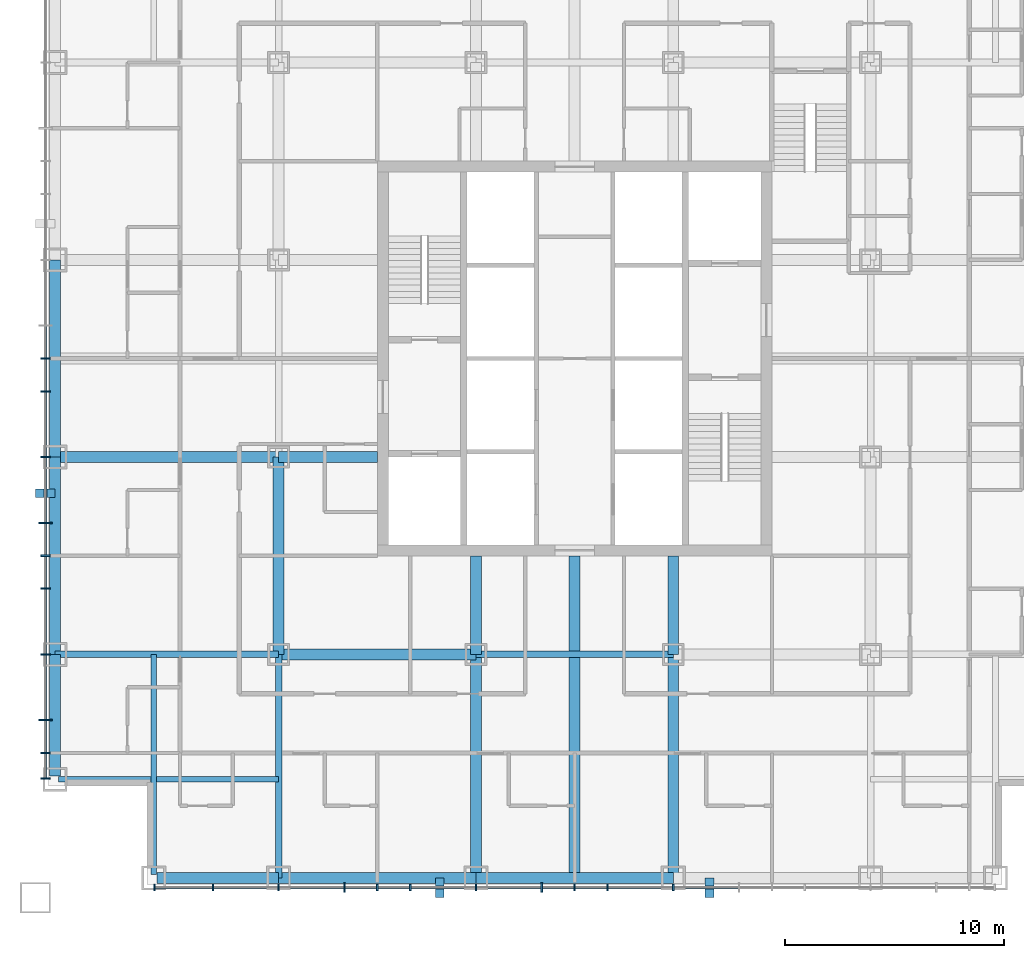
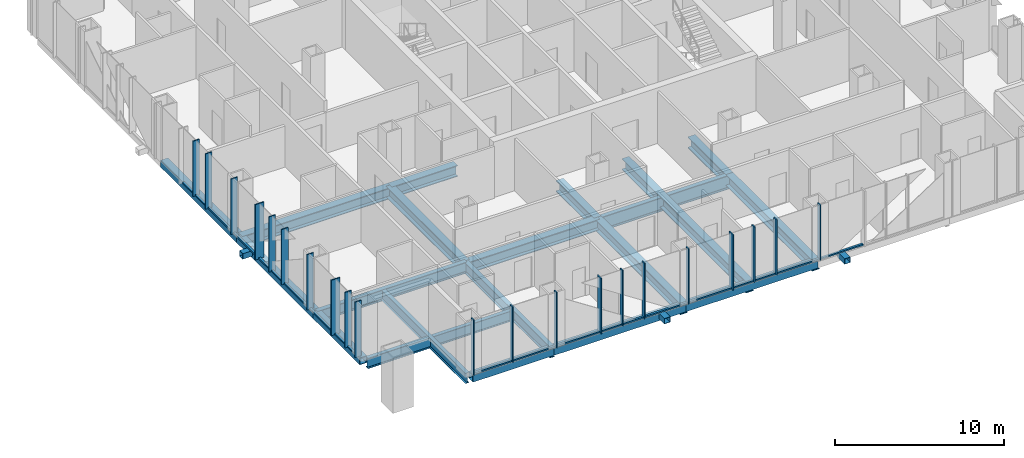
# One storey, part 2 of 13: 45 members, 20 beams, 2 elements without a shape of their own.
"""IFC4 building model written with IfcOpenShell, lengths in metres."""

from ifc_helpers import new_model, si_unit, direction, frame, origin, origin_2d, place, context, subcontext, project, spatial, rectangle, hollow_rectangle, i_section, extrude, material, layer, layer_set, material_profile, profile_set, type_object, element, aggregate, save


model = new_model("IFC4")

# Units and contexts
model_context = context("Model", 3, precision=1e-05, world=origin(), true_north=direction((0.0, 1.0)))
body_context = subcontext(model_context, "Body", "Model", "MODEL_VIEW")
ifc_project = project(units=[si_unit("LENGTHUNIT", "METRE"), si_unit("AREAUNIT", "SQUARE_METRE"), si_unit("VOLUMEUNIT", "CUBIC_METRE"), si_unit("PLANEANGLEUNIT", "RADIAN"), si_unit("MASSUNIT", "GRAM", prefix="KILO")], contexts=[model_context])

# Site, building, storey
site_placement = place(None, origin())
site = spatial("IfcSite", under=ifc_project, at=site_placement, CompositionType="ELEMENT")
building_placement = place(site_placement, origin())
building = spatial("IfcBuilding", under=site, at=building_placement, Name="Malebo Sky Hospital", CompositionType="ELEMENT")
storey_placement = place(building_placement, frame((0.0, 0.0, 160.0)))
storey = spatial("IfcBuildingStorey", under=building, at=storey_placement, Name="L38", CompositionType="ELEMENT", Elevation=160.0)

# Curtain wall, members
ifc_material_1 = material(Name="Anodised aluminium, natural silver", Category="aluminium")
ifc_layer_1 = layer(ifc_material_1, 0.25)
ifc_layer_set_1 = layer_set([ifc_layer_1], Name="WARD CURTAIN WALL EAST AND WEST")
curtain_wall_type_1 = type_object("IfcCurtainWallType", Name="WARD CURTAIN WALL EAST AND WEST", PredefinedType="NOTDEFINED", material=ifc_layer_set_1)
curtain_wall_1_placement = place(storey_placement, origin())
curtain_wall_1 = element("IfcCurtainWall", 1, at=curtain_wall_1_placement, inside=storey, type_object=curtain_wall_type_1, Name="EW curtain wall W", PredefinedType="NOTDEFINED")
ifc_material_profile_1 = material_profile(ifc_material_1, rectangle(XDim=0.14990234375, YDim=0.10009765625, at=origin_2d()), Name="ALUMINIUM TRANSOM 150x100")
ifc_profile_set_1 = profile_set([ifc_material_profile_1], Name="Anodised aluminium, natural silver")
member_type_1 = type_object("IfcMemberType", Name="ALUMINIUM TRANSOM 150x100", PredefinedType="USERDEFINED", material=ifc_profile_set_1)
member_1_placement = place(storey_placement, frame((35.864990234375, 42.875, 0.050048828125), z_axis=(0.0, 1.0, 0.0), x_axis=(-1.0, 0.0, 0.0)))
member_1 = element("IfcMember", 2, at=member_1_placement, type_object=member_type_1, Name="Transom 1", ObjectType="TRANSOM", PredefinedType="USERDEFINED", context=body_context, shape_type="SweptSolid", body=[
    extrude(rectangle(XDim=0.14990234375, YDim=0.10009765625, at=origin_2d()), origin(), (0.0, 0.0, 1.0), 1.08740234375),
])
member_2_placement = place(storey_placement, frame((35.864990234375, 44.03759765625, 0.050048828125), z_axis=(0.0, 1.0, 0.0), x_axis=(-1.0, 0.0, 0.0)))
member_2 = element("IfcMember", 3, at=member_2_placement, type_object=member_type_1, Name="Transom 2", ObjectType="TRANSOM", PredefinedType="USERDEFINED", context=body_context, shape_type="SweptSolid", body=[
    extrude(rectangle(XDim=0.14990234375, YDim=0.10009765625, at=origin_2d()), origin(), (0.0, 0.0, 1.0), 1.4248046875),
])
member_3_placement = place(storey_placement, frame((35.864990234375, 45.53759765625, 0.050048828125), z_axis=(0.0, 1.0, 0.0), x_axis=(-1.0, 0.0, 0.0)))
member_3 = element("IfcMember", 4, at=member_3_placement, type_object=member_type_1, Name="Transom 3", ObjectType="TRANSOM", PredefinedType="USERDEFINED", context=body_context, shape_type="SweptSolid", body=[
    extrude(rectangle(XDim=0.14990234375, YDim=0.10009765625, at=origin_2d()), origin(), (0.0, 0.0, 1.0), 2.9248046875),
])
member_4_placement = place(storey_placement, frame((35.864990234375, 48.53759765625, 0.050048828125), z_axis=(0.0, 1.0, 0.0), x_axis=(-1.0, 0.0, 0.0)))
member_4 = element("IfcMember", 5, at=member_4_placement, type_object=member_type_1, Name="Transom 4", ObjectType="TRANSOM", PredefinedType="USERDEFINED", context=body_context, shape_type="SweptSolid", body=[
    extrude(rectangle(XDim=0.14990234375, YDim=0.10009765625, at=origin_2d()), origin(), (0.0, 0.0, 1.0), 2.9248046875),
])
member_5_placement = place(storey_placement, frame((35.864990234375, 51.53759765625, 0.050048828125), z_axis=(0.0, 1.0, 0.0), x_axis=(-1.0, 0.0, 0.0)))
member_5 = element("IfcMember", 6, at=member_5_placement, type_object=member_type_1, Name="Transom 5", ObjectType="TRANSOM", PredefinedType="USERDEFINED", context=body_context, shape_type="SweptSolid", body=[
    extrude(rectangle(XDim=0.14990234375, YDim=0.10009765625, at=origin_2d()), origin(), (0.0, 0.0, 1.0), 1.4248046875),
])
member_6_placement = place(storey_placement, frame((35.864990234375, 53.03759765625, 0.050048828125), z_axis=(0.0, 1.0, 0.0), x_axis=(-1.0, 0.0, 0.0)))
member_6 = element("IfcMember", 7, at=member_6_placement, type_object=member_type_1, Name="Transom 6", ObjectType="TRANSOM", PredefinedType="USERDEFINED", context=body_context, shape_type="SweptSolid", body=[
    extrude(rectangle(XDim=0.14990234375, YDim=0.10009765625, at=origin_2d()), origin(), (0.0, 0.0, 1.0), 1.4248046875),
])
member_7_placement = place(storey_placement, frame((35.864990234375, 54.53759765625, 0.050048828125), z_axis=(0.0, 1.0, 0.0), x_axis=(-1.0, 0.0, 0.0)))
member_7 = element("IfcMember", 8, at=member_7_placement, type_object=member_type_1, Name="Transom 7", ObjectType="TRANSOM", PredefinedType="USERDEFINED", context=body_context, shape_type="SweptSolid", body=[
    extrude(rectangle(XDim=0.14990234375, YDim=0.10009765625, at=origin_2d()), origin(), (0.0, 0.0, 1.0), 2.9248046875),
])
member_8_placement = place(storey_placement, frame((35.864990234375, 57.53759765625, 0.050048828125), z_axis=(0.0, 1.0, 0.0), x_axis=(-1.0, 0.0, 0.0)))
member_8 = element("IfcMember", 9, at=member_8_placement, type_object=member_type_1, Name="Transom 8", ObjectType="TRANSOM", PredefinedType="USERDEFINED", context=body_context, shape_type="SweptSolid", body=[
    extrude(rectangle(XDim=0.14990234375, YDim=0.10009765625, at=origin_2d()), origin(), (0.0, 0.0, 1.0), 2.9248046875),
])
member_9_placement = place(storey_placement, frame((35.864990234375, 60.53759765625, 0.050048828125), z_axis=(0.0, 1.0, 0.0), x_axis=(-1.0, 0.0, 0.0)))
member_9 = element("IfcMember", 10, at=member_9_placement, type_object=member_type_1, Name="Transom 9", ObjectType="TRANSOM", PredefinedType="USERDEFINED", context=body_context, shape_type="SweptSolid", body=[
    extrude(rectangle(XDim=0.14990234375, YDim=0.10009765625, at=origin_2d()), origin(), (0.0, 0.0, 1.0), 1.4248046875),
])
member_10_placement = place(storey_placement, frame((35.864990234375, 62.03759765625, 0.050048828125), z_axis=(0.0, 1.0, 0.0), x_axis=(-1.0, 0.0, 0.0)))
member_10 = element("IfcMember", 11, at=member_10_placement, type_object=member_type_1, Name="Transom 10", ObjectType="TRANSOM", PredefinedType="USERDEFINED", context=body_context, shape_type="SweptSolid", body=[
    extrude(rectangle(XDim=0.14990234375, YDim=0.10009765625, at=origin_2d()), origin(), (0.0, 0.0, 1.0), 1.4248046875),
])

ifc_layer_2 = layer(ifc_material_1, 0.25)
ifc_layer_set_2 = layer_set([ifc_layer_2], Name="WARD CURTAIN WALL NORTH AND SOUTH")
curtain_wall_type_2 = type_object("IfcCurtainWallType", Name="WARD CURTAIN WALL NORTH AND SOUTH", PredefinedType="NOTDEFINED", material=ifc_layer_set_2)
curtain_wall_2_placement = place(storey_placement, origin())
curtain_wall_2 = element("IfcCurtainWall", 12, at=curtain_wall_2_placement, inside=storey, type_object=curtain_wall_type_2, Name="NS curtain wall S", PredefinedType="NOTDEFINED")
member_11_placement = place(storey_placement, frame((67.46240234375, 37.864990234375, 0.050048828125), z_axis=(-1.0, 0.0, 0.0), x_axis=(0.0, -1.0, 0.0)))
member_11 = element("IfcMember", 13, at=member_11_placement, type_object=member_type_1, Name="Transom 7", ObjectType="TRANSOM", PredefinedType="USERDEFINED", context=body_context, shape_type="SweptSolid", body=[
    extrude(rectangle(XDim=0.14990234375, YDim=0.10009765625, at=origin_2d()), origin(), (0.0, 0.0, 1.0), 2.9248046875),
])
member_12_placement = place(storey_placement, frame((64.46240234375, 37.864990234375, 0.050048828125), z_axis=(-1.0, 0.0, 0.0), x_axis=(0.0, -1.0, 0.0)))
member_12 = element("IfcMember", 14, at=member_12_placement, type_object=member_type_1, Name="Transom 8", ObjectType="TRANSOM", PredefinedType="USERDEFINED", context=body_context, shape_type="SweptSolid", body=[
    extrude(rectangle(XDim=0.14990234375, YDim=0.10009765625, at=origin_2d()), origin(), (0.0, 0.0, 1.0), 2.9248046875),
])
member_13_placement = place(storey_placement, frame((61.46240234375, 37.864990234375, 0.050048828125), z_axis=(-1.0, 0.0, 0.0), x_axis=(0.0, -1.0, 0.0)))
member_13 = element("IfcMember", 15, at=member_13_placement, type_object=member_type_1, Name="Transom 9", ObjectType="TRANSOM", PredefinedType="USERDEFINED", context=body_context, shape_type="SweptSolid", body=[
    extrude(rectangle(XDim=0.14990234375, YDim=0.10009765625, at=origin_2d()), origin(), (0.0, 0.0, 1.0), 1.4248046875),
])
member_14_placement = place(storey_placement, frame((59.96240234375, 37.864990234375, 0.050048828125), z_axis=(-1.0, 0.0, 0.0), x_axis=(0.0, -1.0, 0.0)))
member_14 = element("IfcMember", 16, at=member_14_placement, type_object=member_type_1, Name="Transom 10", ObjectType="TRANSOM", PredefinedType="USERDEFINED", context=body_context, shape_type="SweptSolid", body=[
    extrude(rectangle(XDim=0.14990234375, YDim=0.10009765625, at=origin_2d()), origin(), (0.0, 0.0, 1.0), 1.4248046875),
])
member_15_placement = place(storey_placement, frame((58.46240234375, 37.864990234375, 0.050048828125), z_axis=(-1.0, 0.0, 0.0), x_axis=(0.0, -1.0, 0.0)))
member_15 = element("IfcMember", 17, at=member_15_placement, type_object=member_type_1, Name="Transom 11", ObjectType="TRANSOM", PredefinedType="USERDEFINED", context=body_context, shape_type="SweptSolid", body=[
    extrude(rectangle(XDim=0.14990234375, YDim=0.10009765625, at=origin_2d()), origin(), (0.0, 0.0, 1.0), 2.9248046875),
])
member_16_placement = place(storey_placement, frame((55.46240234375, 37.864990234375, 0.050048828125), z_axis=(-1.0, 0.0, 0.0), x_axis=(0.0, -1.0, 0.0)))
member_16 = element("IfcMember", 18, at=member_16_placement, type_object=member_type_1, Name="Transom 12", ObjectType="TRANSOM", PredefinedType="USERDEFINED", context=body_context, shape_type="SweptSolid", body=[
    extrude(rectangle(XDim=0.14990234375, YDim=0.10009765625, at=origin_2d()), origin(), (0.0, 0.0, 1.0), 2.9248046875),
])
member_17_placement = place(storey_placement, frame((52.46240234375, 37.864990234375, 0.050048828125), z_axis=(-1.0, 0.0, 0.0), x_axis=(0.0, -1.0, 0.0)))
member_17 = element("IfcMember", 19, at=member_17_placement, type_object=member_type_1, Name="Transom 13", ObjectType="TRANSOM", PredefinedType="USERDEFINED", context=body_context, shape_type="SweptSolid", body=[
    extrude(rectangle(XDim=0.14990234375, YDim=0.10009765625, at=origin_2d()), origin(), (0.0, 0.0, 1.0), 1.4248046875),
])
member_18_placement = place(storey_placement, frame((50.96240234375, 37.864990234375, 0.050048828125), z_axis=(-1.0, 0.0, 0.0), x_axis=(0.0, -1.0, 0.0)))
member_18 = element("IfcMember", 20, at=member_18_placement, type_object=member_type_1, Name="Transom 14", ObjectType="TRANSOM", PredefinedType="USERDEFINED", context=body_context, shape_type="SweptSolid", body=[
    extrude(rectangle(XDim=0.14990234375, YDim=0.10009765625, at=origin_2d()), origin(), (0.0, 0.0, 1.0), 1.4248046875),
])
member_19_placement = place(storey_placement, frame((49.46240234375, 37.864990234375, 0.050048828125), z_axis=(-1.0, 0.0, 0.0), x_axis=(0.0, -1.0, 0.0)))
member_19 = element("IfcMember", 21, at=member_19_placement, type_object=member_type_1, Name="Transom 15", ObjectType="TRANSOM", PredefinedType="USERDEFINED", context=body_context, shape_type="SweptSolid", body=[
    extrude(rectangle(XDim=0.14990234375, YDim=0.10009765625, at=origin_2d()), origin(), (0.0, 0.0, 1.0), 2.9248046875),
])
member_20_placement = place(storey_placement, frame((46.46240234375, 37.864990234375, 0.050048828125), z_axis=(-1.0, 0.0, 0.0), x_axis=(0.0, -1.0, 0.0)))
member_20 = element("IfcMember", 22, at=member_20_placement, type_object=member_type_1, Name="Transom 16", ObjectType="TRANSOM", PredefinedType="USERDEFINED", context=body_context, shape_type="SweptSolid", body=[
    extrude(rectangle(XDim=0.14990234375, YDim=0.10009765625, at=origin_2d()), origin(), (0.0, 0.0, 1.0), 2.9248046875),
])
member_21_placement = place(storey_placement, frame((43.46240234375, 37.864990234375, 0.050048828125), z_axis=(-1.0, 0.0, 0.0), x_axis=(0.0, -1.0, 0.0)))
member_21 = element("IfcMember", 23, at=member_21_placement, type_object=member_type_1, Name="Transom 17", ObjectType="TRANSOM", PredefinedType="USERDEFINED", context=body_context, shape_type="SweptSolid", body=[
    extrude(rectangle(XDim=0.14990234375, YDim=0.10009765625, at=origin_2d()), origin(), (0.0, 0.0, 1.0), 2.58740234375),
])

# Members
ifc_material_2 = material(Name="Steel S355", Category="steel")
ifc_material_profile_2 = material_profile(ifc_material_2, hollow_rectangle(XDim=0.39990234375, YDim=0.39990234375, WallThickness=0.02001953125, at=origin_2d()), Name="SHS 400x20")
ifc_profile_set_2 = profile_set([ifc_material_profile_2], Name="Steel S355")
member_type_2 = type_object("IfcMemberType", Name="BRACE STRUT SHS 400x20", PredefinedType="STRUT", material=ifc_profile_set_2)
for number, where, z_axis, x_axis, name in (
    (24, (66.14990234375, 37.39990234375, -0.39990234375), (0.0, 1.0, 0.0), (-1.0, 0.0, 0.0), "Brace strut BS1 L38"),
    (25, (53.85009765625, 37.39990234375, -0.39990234375), (0.0, 1.0, 0.0), (-1.0, 0.0, 0.0), "Brace strut BS2 L38"),
    (26, (35.39990234375, 55.85009765625, -0.39990234375), (1.0, 0.0, 0.0), (0.0, 1.0, 0.0), "Brace strut BW1 L38"),
):
    element("IfcMember", number, at=place(storey_placement, frame(where, z_axis=z_axis, x_axis=x_axis)), inside=storey, type_object=member_type_2, Name=name, PredefinedType="STRUT", context=body_context, shape_type="SweptSolid", body=[
        extrude(hollow_rectangle(XDim=0.39990234375, YDim=0.39990234375, WallThickness=0.02001953125, at=origin_2d()), origin(), (0.0, 0.0, 1.0), 0.900146484375),
    ])

# Member
ifc_material_profile_3 = material_profile(ifc_material_1, rectangle(XDim=0.074951171875, YDim=0.300048828125, at=origin_2d()), Name="CW1 ALUMINIUM FIN MULLION 75x300")
ifc_profile_set_3 = profile_set([ifc_material_profile_3], Name="Anodised aluminium, natural silver")
member_type_3 = type_object("IfcMemberType", Name="CW1 ALUMINIUM FIN MULLION 75x300", PredefinedType="MULLION", material=ifc_profile_set_3)
member_22_placement = place(storey_placement, frame((64.5, 37.864990234375, 0.0), z_axis=(0.0, 0.0, 1.0), x_axis=(-1.0, 0.0, 0.0)))
member_22 = element("IfcMember", 27, at=member_22_placement, type_object=member_type_3, Name="Fin mullion 8", PredefinedType="MULLION", context=body_context, shape_type="SweptSolid", body=[
    extrude(rectangle(XDim=0.074951171875, YDim=0.300048828125, at=origin_2d()), origin(), (0.0, 0.0, 1.0), 4.0),
])

member_23_placement = place(storey_placement, frame((61.5, 37.864990234375, 0.0), z_axis=(0.0, 0.0, 1.0), x_axis=(-1.0, 0.0, 0.0)))
member_23 = element("IfcMember", 28, at=member_23_placement, type_object=member_type_3, Name="Fin mullion 9", PredefinedType="MULLION", context=body_context, shape_type="SweptSolid", body=[
    extrude(rectangle(XDim=0.074951171875, YDim=0.300048828125, at=origin_2d()), origin(), (0.0, 0.0, 1.0), 4.0),
])

member_24_placement = place(storey_placement, frame((60.0, 37.864990234375, 0.0), z_axis=(0.0, 0.0, 1.0), x_axis=(-1.0, 0.0, 0.0)))
member_24 = element("IfcMember", 29, at=member_24_placement, type_object=member_type_3, Name="Fin mullion 10", PredefinedType="MULLION", context=body_context, shape_type="SweptSolid", body=[
    extrude(rectangle(XDim=0.074951171875, YDim=0.300048828125, at=origin_2d()), origin(), (0.0, 0.0, 1.0), 4.0),
])

member_25_placement = place(storey_placement, frame((55.5, 37.864990234375, 0.0), z_axis=(0.0, 0.0, 1.0), x_axis=(-1.0, 0.0, 0.0)))
member_25 = element("IfcMember", 30, at=member_25_placement, type_object=member_type_3, Name="Fin mullion 12", PredefinedType="MULLION", context=body_context, shape_type="SweptSolid", body=[
    extrude(rectangle(XDim=0.074951171875, YDim=0.300048828125, at=origin_2d()), origin(), (0.0, 0.0, 1.0), 4.0),
])

member_26_placement = place(storey_placement, frame((52.5, 37.864990234375, 0.0), z_axis=(0.0, 0.0, 1.0), x_axis=(-1.0, 0.0, 0.0)))
member_26 = element("IfcMember", 31, at=member_26_placement, type_object=member_type_3, Name="Fin mullion 13", PredefinedType="MULLION", context=body_context, shape_type="SweptSolid", body=[
    extrude(rectangle(XDim=0.074951171875, YDim=0.300048828125, at=origin_2d()), origin(), (0.0, 0.0, 1.0), 4.0),
])

member_27_placement = place(storey_placement, frame((51.0, 37.864990234375, 0.0), z_axis=(0.0, 0.0, 1.0), x_axis=(-1.0, 0.0, 0.0)))
member_27 = element("IfcMember", 32, at=member_27_placement, type_object=member_type_3, Name="Fin mullion 14", PredefinedType="MULLION", context=body_context, shape_type="SweptSolid", body=[
    extrude(rectangle(XDim=0.074951171875, YDim=0.300048828125, at=origin_2d()), origin(), (0.0, 0.0, 1.0), 4.0),
])

member_28_placement = place(storey_placement, frame((46.5, 37.864990234375, 0.0), z_axis=(0.0, 0.0, 1.0), x_axis=(-1.0, 0.0, 0.0)))
member_28 = element("IfcMember", 33, at=member_28_placement, type_object=member_type_3, Name="Fin mullion 16", PredefinedType="MULLION", context=body_context, shape_type="SweptSolid", body=[
    extrude(rectangle(XDim=0.074951171875, YDim=0.300048828125, at=origin_2d()), origin(), (0.0, 0.0, 1.0), 4.0),
])

member_29_placement = place(storey_placement, frame((43.5, 37.864990234375, 0.0), z_axis=(0.0, 0.0, 1.0), x_axis=(-1.0, 0.0, 0.0)))
member_29 = element("IfcMember", 34, at=member_29_placement, type_object=member_type_3, Name="Fin mullion 17", PredefinedType="MULLION", context=body_context, shape_type="SweptSolid", body=[
    extrude(rectangle(XDim=0.074951171875, YDim=0.300048828125, at=origin_2d()), origin(), (0.0, 0.0, 1.0), 4.0),
])

member_30_placement = place(storey_placement, frame((40.83740234375, 37.864990234375, 0.0), z_axis=(0.0, 0.0, 1.0), x_axis=(-1.0, 0.0, 0.0)))
member_30 = element("IfcMember", 35, at=member_30_placement, type_object=member_type_3, Name="Fin mullion 18", PredefinedType="MULLION", context=body_context, shape_type="SweptSolid", body=[
    extrude(rectangle(XDim=0.074951171875, YDim=0.300048828125, at=origin_2d()), origin(), (0.0, 0.0, 1.0), 4.0),
])

ifc_material_profile_4 = material_profile(ifc_material_1, rectangle(XDim=0.074951171875, YDim=0.449951171875, at=origin_2d()), Name="CW1 ALUMINIUM FIN MULLION 75x450")
ifc_profile_set_4 = profile_set([ifc_material_profile_4], Name="Anodised aluminium, natural silver")
member_type_4 = type_object("IfcMemberType", Name="CW1 ALUMINIUM FIN MULLION 75x450", PredefinedType="MULLION", material=ifc_profile_set_4)
member_31_placement = place(storey_placement, frame((58.5, 37.864990234375, 0.0), z_axis=(0.0, 0.0, 1.0), x_axis=(-1.0, 0.0, 0.0)))
member_31 = element("IfcMember", 36, at=member_31_placement, type_object=member_type_4, Name="Fin mullion 11", PredefinedType="MULLION", context=body_context, shape_type="SweptSolid", body=[
    extrude(rectangle(XDim=0.074951171875, YDim=0.449951171875, at=origin_2d()), origin(), (0.0, 0.0, 1.0), 4.0),
])

member_32_placement = place(storey_placement, frame((49.5, 37.864990234375, 0.0), z_axis=(0.0, 0.0, 1.0), x_axis=(-1.0, 0.0, 0.0)))
member_32 = element("IfcMember", 37, at=member_32_placement, type_object=member_type_4, Name="Fin mullion 15", PredefinedType="MULLION", context=body_context, shape_type="SweptSolid", body=[
    extrude(rectangle(XDim=0.074951171875, YDim=0.449951171875, at=origin_2d()), origin(), (0.0, 0.0, 1.0), 4.0),
])

aggregate(curtain_wall_2, [member_22, member_23, member_24, member_31, member_25, member_26, member_27, member_32, member_28, member_29, member_30, member_11, member_12, member_13, member_14, member_15, member_16, member_17, member_18, member_19, member_20, member_21])

ifc_material_profile_5 = material_profile(ifc_material_1, rectangle(XDim=0.074951171875, YDim=0.449951171875, at=origin_2d()), Name="CW2 ALUMINIUM FIN MULLION 75x450")
ifc_profile_set_5 = profile_set([ifc_material_profile_5], Name="Anodised aluminium, natural silver")
member_type_5 = type_object("IfcMemberType", Name="CW2 ALUMINIUM FIN MULLION 75x450", PredefinedType="MULLION", material=ifc_profile_set_5)
member_33_placement = place(storey_placement, frame((35.864990234375, 42.83740234375, 0.0), z_axis=(0.0, 0.0, 1.0), x_axis=(0.0, 1.0, 0.0)))
member_33 = element("IfcMember", 38, at=member_33_placement, type_object=member_type_5, Name="Fin mullion 1", PredefinedType="MULLION", context=body_context, shape_type="SweptSolid", body=[
    extrude(rectangle(XDim=0.074951171875, YDim=0.449951171875, at=origin_2d()), origin(), (0.0, 0.0, 1.0), 4.0),
])

member_34_placement = place(storey_placement, frame((35.864990234375, 44.0, 0.0), z_axis=(0.0, 0.0, 1.0), x_axis=(0.0, 1.0, 0.0)))
member_34 = element("IfcMember", 39, at=member_34_placement, type_object=member_type_5, Name="Fin mullion 2", PredefinedType="MULLION", context=body_context, shape_type="SweptSolid", body=[
    extrude(rectangle(XDim=0.074951171875, YDim=0.449951171875, at=origin_2d()), origin(), (0.0, 0.0, 1.0), 4.0),
])

member_35_placement = place(storey_placement, frame((35.864990234375, 48.5, 0.0), z_axis=(0.0, 0.0, 1.0), x_axis=(0.0, 1.0, 0.0)))
member_35 = element("IfcMember", 40, at=member_35_placement, type_object=member_type_5, Name="Fin mullion 4", PredefinedType="MULLION", context=body_context, shape_type="SweptSolid", body=[
    extrude(rectangle(XDim=0.074951171875, YDim=0.449951171875, at=origin_2d()), origin(), (0.0, 0.0, 1.0), 4.0),
])

member_36_placement = place(storey_placement, frame((35.864990234375, 51.5, 0.0), z_axis=(0.0, 0.0, 1.0), x_axis=(0.0, 1.0, 0.0)))
member_36 = element("IfcMember", 41, at=member_36_placement, type_object=member_type_5, Name="Fin mullion 5", PredefinedType="MULLION", context=body_context, shape_type="SweptSolid", body=[
    extrude(rectangle(XDim=0.074951171875, YDim=0.449951171875, at=origin_2d()), origin(), (0.0, 0.0, 1.0), 4.0),
])

member_37_placement = place(storey_placement, frame((35.864990234375, 53.0, 0.0), z_axis=(0.0, 0.0, 1.0), x_axis=(0.0, 1.0, 0.0)))
member_37 = element("IfcMember", 42, at=member_37_placement, type_object=member_type_5, Name="Fin mullion 6", PredefinedType="MULLION", context=body_context, shape_type="SweptSolid", body=[
    extrude(rectangle(XDim=0.074951171875, YDim=0.449951171875, at=origin_2d()), origin(), (0.0, 0.0, 1.0), 4.0),
])

member_38_placement = place(storey_placement, frame((35.864990234375, 57.5, 0.0), z_axis=(0.0, 0.0, 1.0), x_axis=(0.0, 1.0, 0.0)))
member_38 = element("IfcMember", 43, at=member_38_placement, type_object=member_type_5, Name="Fin mullion 8", PredefinedType="MULLION", context=body_context, shape_type="SweptSolid", body=[
    extrude(rectangle(XDim=0.074951171875, YDim=0.449951171875, at=origin_2d()), origin(), (0.0, 0.0, 1.0), 4.0),
])

member_39_placement = place(storey_placement, frame((35.864990234375, 60.5, 0.0), z_axis=(0.0, 0.0, 1.0), x_axis=(0.0, 1.0, 0.0)))
member_39 = element("IfcMember", 44, at=member_39_placement, type_object=member_type_5, Name="Fin mullion 9", PredefinedType="MULLION", context=body_context, shape_type="SweptSolid", body=[
    extrude(rectangle(XDim=0.074951171875, YDim=0.449951171875, at=origin_2d()), origin(), (0.0, 0.0, 1.0), 4.0),
])

member_40_placement = place(storey_placement, frame((35.864990234375, 62.0, 0.0), z_axis=(0.0, 0.0, 1.0), x_axis=(0.0, 1.0, 0.0)))
member_40 = element("IfcMember", 45, at=member_40_placement, type_object=member_type_5, Name="Fin mullion 10", PredefinedType="MULLION", context=body_context, shape_type="SweptSolid", body=[
    extrude(rectangle(XDim=0.074951171875, YDim=0.449951171875, at=origin_2d()), origin(), (0.0, 0.0, 1.0), 4.0),
])

ifc_material_profile_6 = material_profile(ifc_material_1, rectangle(XDim=0.074951171875, YDim=0.60009765625, at=origin_2d()), Name="CW2 ALUMINIUM FIN MULLION 75x600")
ifc_profile_set_6 = profile_set([ifc_material_profile_6], Name="Anodised aluminium, natural silver")
member_type_6 = type_object("IfcMemberType", Name="CW2 ALUMINIUM FIN MULLION 75x600", PredefinedType="MULLION", material=ifc_profile_set_6)
member_41_placement = place(storey_placement, frame((35.864990234375, 45.5, 0.0), z_axis=(0.0, 0.0, 1.0), x_axis=(0.0, 1.0, 0.0)))
member_41 = element("IfcMember", 46, at=member_41_placement, type_object=member_type_6, Name="Fin mullion 3", PredefinedType="MULLION", context=body_context, shape_type="SweptSolid", body=[
    extrude(rectangle(XDim=0.074951171875, YDim=0.60009765625, at=origin_2d()), origin(), (0.0, 0.0, 1.0), 4.0),
])

member_42_placement = place(storey_placement, frame((35.864990234375, 54.5, 0.0), z_axis=(0.0, 0.0, 1.0), x_axis=(0.0, 1.0, 0.0)))
member_42 = element("IfcMember", 47, at=member_42_placement, type_object=member_type_6, Name="Fin mullion 7", PredefinedType="MULLION", context=body_context, shape_type="SweptSolid", body=[
    extrude(rectangle(XDim=0.074951171875, YDim=0.60009765625, at=origin_2d()), origin(), (0.0, 0.0, 1.0), 4.0),
])

aggregate(curtain_wall_1, [member_33, member_34, member_41, member_35, member_36, member_37, member_42, member_38, member_39, member_40, member_1, member_2, member_3, member_4, member_5, member_6, member_7, member_8, member_9, member_10])

# Beams
ifc_material_3 = material(Name="Steel S460", Category="steel")
ifc_material_profile_7 = material_profile(ifc_material_3, hollow_rectangle(XDim=0.5, YDim=0.5, WallThickness=0.030029296875, at=origin_2d()), Name="BOX 500x500x30")
ifc_profile_set_7 = profile_set([ifc_material_profile_7], Name="Steel S460")
beam_type_1 = type_object("IfcBeamType", Name="EDGE BEAM BOX 500x500x30", PredefinedType="BEAM", material=ifc_profile_set_7)
beam_1_placement = place(storey_placement, frame((36.300048828125, 42.949951171875, -0.5), z_axis=(0.0, 1.0, 0.0), x_axis=(-1.0, 0.0, 0.0)))
element("IfcBeam", 48, at=beam_1_placement, inside=storey, type_object=beam_type_1, Name="Beam 000 L38", PredefinedType="BEAM", context=body_context, shape_type="SweptSolid", body=[
    extrude(hollow_rectangle(XDim=0.5, YDim=0.5, WallThickness=0.030029296875, at=origin_2d()), origin(), (0.0, 0.0, 1.0), 5.550048828125),
])
for number, where, z_axis, x_axis, name in (
    (49, (36.300048828125, 48.5, -0.5), (0.0, 1.0, 0.0), (-1.0, 0.0, 0.0), "Beam 001 L38"),
    (50, (36.300048828125, 57.5, -0.5), (0.0, 1.0, 0.0), (-1.0, 0.0, 0.0), "Beam 002 L38"),
):
    element("IfcBeam", number, at=place(storey_placement, frame(where, z_axis=z_axis, x_axis=x_axis)), inside=storey, type_object=beam_type_1, Name=name, PredefinedType="BEAM", context=body_context, shape_type="SweptSolid", body=[
        extrude(hollow_rectangle(XDim=0.5, YDim=0.5, WallThickness=0.030029296875, at=origin_2d()), origin(), (0.0, 0.0, 1.0), 9.0),
    ])
beam_2_placement = place(storey_placement, frame((40.949951171875, 38.300048828125, -0.5), z_axis=(1.0, 0.0, 0.0), x_axis=(0.0, 1.0, 0.0)))
element("IfcBeam", 51, at=beam_2_placement, inside=storey, type_object=beam_type_1, Name="Beam 034 L38", PredefinedType="BEAM", context=body_context, shape_type="SweptSolid", body=[
    extrude(hollow_rectangle(XDim=0.5, YDim=0.5, WallThickness=0.030029296875, at=origin_2d()), origin(), (0.0, 0.0, 1.0), 5.550048828125),
])
for number, where, z_axis, x_axis, name in (
    (52, (46.5, 38.300048828125, -0.5), (1.0, 0.0, 0.0), (0.0, 1.0, 0.0), "Beam 035 L38"),
    (53, (55.5, 38.300048828125, -0.5), (1.0, 0.0, 0.0), (0.0, 1.0, 0.0), "Beam 036 L38"),
):
    element("IfcBeam", number, at=place(storey_placement, frame(where, z_axis=z_axis, x_axis=x_axis)), inside=storey, type_object=beam_type_1, Name=name, PredefinedType="BEAM", context=body_context, shape_type="SweptSolid", body=[
        extrude(hollow_rectangle(XDim=0.5, YDim=0.5, WallThickness=0.030029296875, at=origin_2d()), origin(), (0.0, 0.0, 1.0), 9.0),
    ])
ifc_material_profile_8 = material_profile(ifc_material_2, i_section(OverallWidth=0.262939453125, OverallDepth=0.7529296875, WebThickness=0.011474609375, FlangeThickness=0.01708984375, FilletRadius=0.01708984375, at=origin_2d()), Name="IPE 750x137")
ifc_profile_set_8 = profile_set([ifc_material_profile_8], Name="Steel S355")
beam_type_2 = type_object("IfcBeamType", Name="FLOOR BEAM IPE 750x137", PredefinedType="BEAM", material=ifc_profile_set_8)
for number, where, z_axis, x_axis, name in (
    (54, (40.800048828125, 38.449951171875, -0.62646484375), (0.0, 1.0, 0.0), (-1.0, 0.0, 0.0), "Beam 005 L38"),
    (55, (36.449951171875, 42.800048828125, -0.62646484375), (1.0, 0.0, 0.0), (0.0, 1.0, 0.0), "Beam 039 L38"),
):
    element("IfcBeam", number, at=place(storey_placement, frame(where, z_axis=z_axis, x_axis=x_axis)), inside=storey, type_object=beam_type_2, Name=name, PredefinedType="BEAM", context=body_context, shape_type="SweptSolid", body=[
        extrude(i_section(OverallWidth=0.262939453125, OverallDepth=0.7529296875, WebThickness=0.011474609375, FlangeThickness=0.01708984375, FilletRadius=0.01708984375, at=origin_2d()), origin(), (0.0, 0.0, 1.0), 10.050048828125),
    ])
ifc_material_profile_9 = material_profile(ifc_material_2, i_section(OverallWidth=0.5, OverallDepth=0.800048828125, WebThickness=0.030029296875, FlangeThickness=0.050048828125, at=origin_2d()), Name="PG 800x500x30x50")
ifc_profile_set_9 = profile_set([ifc_material_profile_9], Name="Steel S355")
beam_type_3 = type_object("IfcBeamType", Name="FLOOR BEAM PG 800x500x30x50", PredefinedType="BEAM", material=ifc_profile_set_9)
beam_3_placement = place(storey_placement, frame((46.5, 48.5, -0.64990234375), z_axis=(0.0, 1.0, 0.0), x_axis=(-1.0, 0.0, 0.0)))
element("IfcBeam", 56, at=beam_3_placement, inside=storey, type_object=beam_type_3, Name="Beam 008 L38", PredefinedType="BEAM", context=body_context, shape_type="SweptSolid", body=[
    extrude(i_section(OverallWidth=0.5, OverallDepth=0.800048828125, WebThickness=0.030029296875, FlangeThickness=0.050048828125, at=origin_2d()), origin(), (0.0, 0.0, 1.0), 9.0),
])
beam_4_placement = place(storey_placement, frame((55.5, 38.300048828125, -0.64990234375), z_axis=(0.0, 1.0, 0.0), x_axis=(-1.0, 0.0, 0.0)))
element("IfcBeam", 57, at=beam_4_placement, inside=storey, type_object=beam_type_3, Name="Beam 012 L38", PredefinedType="BEAM", context=body_context, shape_type="SweptSolid", body=[
    extrude(i_section(OverallWidth=0.5, OverallDepth=0.800048828125, WebThickness=0.030029296875, FlangeThickness=0.050048828125, at=origin_2d()), origin(), (0.0, 0.0, 1.0), 10.199951171875),
])
beam_5_placement = place(storey_placement, frame((55.5, 48.5, -0.64990234375), z_axis=(0.0, 1.0, 0.0), x_axis=(-1.0, 0.0, 0.0)))
element("IfcBeam", 58, at=beam_5_placement, inside=storey, type_object=beam_type_3, Name="Beam 013 L38", PredefinedType="BEAM", context=body_context, shape_type="SweptSolid", body=[
    extrude(i_section(OverallWidth=0.5, OverallDepth=0.800048828125, WebThickness=0.030029296875, FlangeThickness=0.050048828125, at=origin_2d()), origin(), (0.0, 0.0, 1.0), 4.5),
])
beam_6_placement = place(storey_placement, frame((60.0, 38.300048828125, -0.64990234375), z_axis=(0.0, 1.0, 0.0), x_axis=(-1.0, 0.0, 0.0)))
element("IfcBeam", 59, at=beam_6_placement, inside=storey, type_object=beam_type_3, Name="Beam 016 L38", PredefinedType="BEAM", context=body_context, shape_type="SweptSolid", body=[
    extrude(i_section(OverallWidth=0.5, OverallDepth=0.800048828125, WebThickness=0.030029296875, FlangeThickness=0.050048828125, at=origin_2d()), origin(), (0.0, 0.0, 1.0), 14.699951171875),
])
beam_7_placement = place(storey_placement, frame((64.5, 38.300048828125, -0.64990234375), z_axis=(0.0, 1.0, 0.0), x_axis=(-1.0, 0.0, 0.0)))
element("IfcBeam", 60, at=beam_7_placement, inside=storey, type_object=beam_type_3, Name="Beam 018 L38", PredefinedType="BEAM", context=body_context, shape_type="SweptSolid", body=[
    extrude(i_section(OverallWidth=0.5, OverallDepth=0.800048828125, WebThickness=0.030029296875, FlangeThickness=0.050048828125, at=origin_2d()), origin(), (0.0, 0.0, 1.0), 10.199951171875),
])
beam_8_placement = place(storey_placement, frame((64.5, 48.5, -0.64990234375), z_axis=(0.0, 1.0, 0.0), x_axis=(-1.0, 0.0, 0.0)))
element("IfcBeam", 61, at=beam_8_placement, inside=storey, type_object=beam_type_3, Name="Beam 019 L38", PredefinedType="BEAM", context=body_context, shape_type="SweptSolid", body=[
    extrude(i_section(OverallWidth=0.5, OverallDepth=0.800048828125, WebThickness=0.030029296875, FlangeThickness=0.050048828125, at=origin_2d()), origin(), (0.0, 0.0, 1.0), 4.5),
])
beam_9_placement = place(storey_placement, frame((46.5, 48.5, -0.64990234375), z_axis=(1.0, 0.0, 0.0), x_axis=(0.0, 1.0, 0.0)))
element("IfcBeam", 62, at=beam_9_placement, inside=storey, type_object=beam_type_3, Name="Beam 042 L38", PredefinedType="BEAM", context=body_context, shape_type="SweptSolid", body=[
    extrude(i_section(OverallWidth=0.5, OverallDepth=0.800048828125, WebThickness=0.030029296875, FlangeThickness=0.050048828125, at=origin_2d()), origin(), (0.0, 0.0, 1.0), 9.0),
])
beam_10_placement = place(storey_placement, frame((36.300048828125, 57.5, -0.64990234375), z_axis=(1.0, 0.0, 0.0), x_axis=(0.0, 1.0, 0.0)))
element("IfcBeam", 63, at=beam_10_placement, inside=storey, type_object=beam_type_3, Name="Beam 046 L38", PredefinedType="BEAM", context=body_context, shape_type="SweptSolid", body=[
    extrude(i_section(OverallWidth=0.5, OverallDepth=0.800048828125, WebThickness=0.030029296875, FlangeThickness=0.050048828125, at=origin_2d()), origin(), (0.0, 0.0, 1.0), 10.199951171875),
])
beam_11_placement = place(storey_placement, frame((46.5, 57.5, -0.64990234375), z_axis=(1.0, 0.0, 0.0), x_axis=(0.0, 1.0, 0.0)))
element("IfcBeam", 64, at=beam_11_placement, inside=storey, type_object=beam_type_3, Name="Beam 047 L38", PredefinedType="BEAM", context=body_context, shape_type="SweptSolid", body=[
    extrude(i_section(OverallWidth=0.5, OverallDepth=0.800048828125, WebThickness=0.030029296875, FlangeThickness=0.050048828125, at=origin_2d()), origin(), (0.0, 0.0, 1.0), 4.5),
])
ifc_material_profile_10 = material_profile(ifc_material_2, i_section(OverallWidth=0.300048828125, OverallDepth=0.800048828125, WebThickness=0.017578125, FlangeThickness=0.032958984375, FilletRadius=0.030029296875, at=origin_2d()), Name="HEB 800")
ifc_profile_set_10 = profile_set([ifc_material_profile_10], Name="Steel S355")
beam_type_4 = type_object("IfcBeamType", Name="FLOOR GIRDER HEB 800", PredefinedType="BEAM", material=ifc_profile_set_10)
for number, where, z_axis, x_axis, name in (
    (65, (46.5, 38.300048828125, -0.64990234375), (0.0, 1.0, 0.0), (-1.0, 0.0, 0.0), "Beam 007 L38"),
    (66, (36.300048828125, 48.5, -0.64990234375), (1.0, 0.0, 0.0), (0.0, 1.0, 0.0), "Beam 041 L38"),
):
    element("IfcBeam", number, at=place(storey_placement, frame(where, z_axis=z_axis, x_axis=x_axis)), inside=storey, type_object=beam_type_4, Name=name, PredefinedType="BEAM", context=body_context, shape_type="SweptSolid", body=[
        extrude(i_section(OverallWidth=0.300048828125, OverallDepth=0.800048828125, WebThickness=0.017578125, FlangeThickness=0.032958984375, FilletRadius=0.030029296875, at=origin_2d()), origin(), (0.0, 0.0, 1.0), 10.199951171875),
    ])
ifc_material_profile_11 = material_profile(ifc_material_2, i_section(OverallWidth=0.300048828125, OverallDepth=1.0, WebThickness=0.01904296875, FlangeThickness=0.035888671875, FilletRadius=0.030029296875, at=origin_2d()), Name="HEB 1000")
ifc_profile_set_11 = profile_set([ifc_material_profile_11], Name="Steel S355")
beam_type_5 = type_object("IfcBeamType", Name="RING GIRDER HEB 1000", PredefinedType="BEAM", material=ifc_profile_set_11)
beam_12_placement = place(storey_placement, frame((55.5, 48.5, -0.75), z_axis=(1.0, 0.0, 0.0), x_axis=(0.0, 1.0, 0.0)))
element("IfcBeam", 67, at=beam_12_placement, inside=storey, type_object=beam_type_5, Name="Beam 043 L38", PredefinedType="BEAM", context=body_context, shape_type="SweptSolid", body=[
    extrude(i_section(OverallWidth=0.300048828125, OverallDepth=1.0, WebThickness=0.01904296875, FlangeThickness=0.035888671875, FilletRadius=0.030029296875, at=origin_2d()), origin(), (0.0, 0.0, 1.0), 9.0),
])

save(model, "model.ifc")
